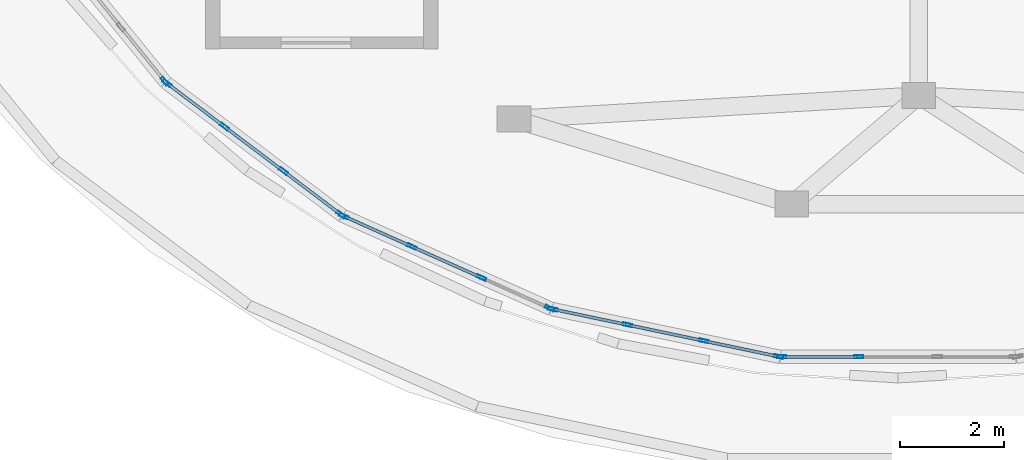
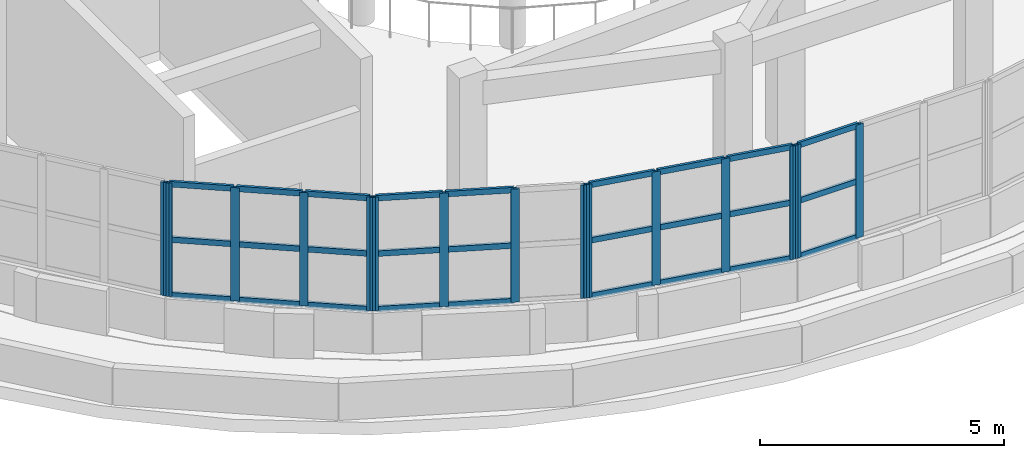
# One storey, part 5 of 98: 42 members, 5 elements without a shape of their own.
"""IFC4 building model written with IfcOpenShell, lengths in metres."""

from ifc_helpers import new_model, si_unit, direction, frame, origin, origin_2d, place, context, subcontext, project, spatial, hollow_rectangle, extrude, material, layer, layer_set, material_profile, profile_set, type_object, element, aggregate, save


model = new_model("IFC4")

# Units and contexts
model_context = context("Model", 3, precision=1e-05, world=origin(), true_north=direction((0.0, 1.0)))
body_context = subcontext(model_context, "Body", "Model", "MODEL_VIEW")
ifc_project = project(units=[si_unit("LENGTHUNIT", "METRE"), si_unit("AREAUNIT", "SQUARE_METRE"), si_unit("VOLUMEUNIT", "CUBIC_METRE"), si_unit("PLANEANGLEUNIT", "RADIAN"), si_unit("MASSUNIT", "GRAM", prefix="KILO")], contexts=[model_context])

# Site, building, storey
site_placement = place(None, origin())
site = spatial("IfcSite", under=ifc_project, at=site_placement, CompositionType="ELEMENT")
building_placement = place(site_placement, origin())
building = spatial("IfcBuilding", under=site, at=building_placement, Name="Pelvatis Terrace Science Centre", CompositionType="ELEMENT")
storey_placement = place(building_placement, frame((0.0, 0.0, 5.39990234375)))
storey = spatial("IfcBuildingStorey", under=building, at=storey_placement, Name="L01", CompositionType="ELEMENT", Elevation=5.39990234375)

# Curtain wall, member
ifc_material_1 = material(Name="Bronze-anodised aluminium and laminated glass", Category="aluminium")
ifc_layer = layer(ifc_material_1, 0.179931640625)
ifc_layer_set = layer_set([ifc_layer], Name="Bronze-anodised aluminium and laminated glass")
curtain_wall_type = type_object("IfcCurtainWallType", Name="CW-RIBBON-A", PredefinedType="NOTDEFINED", material=ifc_layer_set)
curtain_wall_1_placement = place(storey_placement, origin())
curtain_wall_1 = element("IfcCurtainWall", 1, at=curtain_wall_1_placement, inside=storey, type_object=curtain_wall_type, Name="Ribbon curtain wall CW-032 (L01)", PredefinedType="NOTDEFINED")
ifc_material_2 = material(Name="Bronze-anodised aluminium 6063-T6", Category="aluminium")
ifc_material_profile_1 = material_profile(ifc_material_2, hollow_rectangle(XDim=0.06005859375, YDim=0.179931640625, WallThickness=0.00390625, at=origin_2d()), Name="ALU-MUL 60x180")
ifc_profile_set_1 = profile_set([ifc_material_profile_1], Name="Bronze-anodised aluminium 6063-T6")
member_type_1 = type_object("IfcMemberType", Name="CWM-60x180", PredefinedType="MULLION", material=ifc_profile_set_1)
member_1_placement = place(storey_placement, frame((32.271728515625, 24.18017578125, 1.02001953125), z_axis=(0.0, 0.0, 1.0), x_axis=(0.776811223185, 0.629733533753, 0.0)))
member_1 = element("IfcMember", 2, at=member_1_placement, type_object=member_type_1, Name="CW-032 mullion 4", PredefinedType="MULLION", context=body_context, shape_type="SweptSolid", body=[
    extrude(hollow_rectangle(XDim=0.06005859375, YDim=0.179931640625, WallThickness=0.00390625, at=origin_2d()), origin(), (0.0, 0.0, 1.0), 2.840087890625),
])
aggregate(curtain_wall_1, [member_1])

# Curtain wall, members
curtain_wall_2_placement = place(storey_placement, origin())
curtain_wall_2 = element("IfcCurtainWall", 3, at=curtain_wall_2_placement, inside=storey, type_object=curtain_wall_type, Name="Ribbon curtain wall CW-033 (L01)", PredefinedType="NOTDEFINED")
member_2_placement = place(storey_placement, frame((32.314453125, 24.138916015625, 1.02001953125), z_axis=(0.0, 0.0, 1.0), x_axis=(0.602213340756, 0.798335200411, 0.0)))
member_2 = element("IfcMember", 4, at=member_2_placement, type_object=member_type_1, Name="CW-033 mullion 1", PredefinedType="MULLION", context=body_context, shape_type="SweptSolid", body=[
    extrude(hollow_rectangle(XDim=0.06005859375, YDim=0.179931640625, WallThickness=0.00390625, at=origin_2d()), origin(), (0.0, 0.0, 1.0), 2.840087890625),
])
member_3_placement = place(storey_placement, frame((33.42431640625, 23.301513671875, 1.02001953125), z_axis=(0.0, 0.0, 1.0), x_axis=(0.602213340756, 0.798335200411, 0.0)))
member_3 = element("IfcMember", 5, at=member_3_placement, type_object=member_type_1, Name="CW-033 mullion 2", PredefinedType="MULLION", context=body_context, shape_type="SweptSolid", body=[
    extrude(hollow_rectangle(XDim=0.06005859375, YDim=0.179931640625, WallThickness=0.00390625, at=origin_2d()), origin(), (0.0, 0.0, 1.0), 2.840087890625),
])
member_4_placement = place(storey_placement, frame((34.55810546875, 22.4462890625, 1.02001953125), z_axis=(0.0, 0.0, 1.0), x_axis=(0.602213340756, 0.798335200411, 0.0)))
member_4 = element("IfcMember", 6, at=member_4_placement, type_object=member_type_1, Name="CW-033 mullion 3", PredefinedType="MULLION", context=body_context, shape_type="SweptSolid", body=[
    extrude(hollow_rectangle(XDim=0.06005859375, YDim=0.179931640625, WallThickness=0.00390625, at=origin_2d()), origin(), (0.0, 0.0, 1.0), 2.840087890625),
])
member_5_placement = place(storey_placement, frame((35.66796875, 21.609130859375, 1.02001953125), z_axis=(0.0, 0.0, 1.0), x_axis=(0.602213340756, 0.798335200411, 0.0)))
member_5 = element("IfcMember", 7, at=member_5_placement, type_object=member_type_1, Name="CW-033 mullion 4", PredefinedType="MULLION", context=body_context, shape_type="SweptSolid", body=[
    extrude(hollow_rectangle(XDim=0.06005859375, YDim=0.179931640625, WallThickness=0.00390625, at=origin_2d()), origin(), (0.0, 0.0, 1.0), 2.840087890625),
])

curtain_wall_3_placement = place(storey_placement, origin())
curtain_wall_3 = element("IfcCurtainWall", 8, at=curtain_wall_3_placement, inside=storey, type_object=curtain_wall_type, Name="Ribbon curtain wall CW-034 (L01)", PredefinedType="NOTDEFINED")
member_6_placement = place(storey_placement, frame((35.719482421875, 21.578857421875, 1.02001953125), z_axis=(0.0, 0.0, 1.0), x_axis=(0.407992377394, 0.91298533394, 0.0)))
member_6 = element("IfcMember", 9, at=member_6_placement, type_object=member_type_1, Name="CW-034 mullion 1", PredefinedType="MULLION", context=body_context, shape_type="SweptSolid", body=[
    extrude(hollow_rectangle(XDim=0.06005859375, YDim=0.179931640625, WallThickness=0.00390625, at=origin_2d()), origin(), (0.0, 0.0, 1.0), 2.840087890625),
])
member_7_placement = place(storey_placement, frame((37.033203125, 20.99169921875, 1.02001953125), z_axis=(0.0, 0.0, 1.0), x_axis=(0.407992377394, 0.91298533394, 0.0)))
member_7 = element("IfcMember", 10, at=member_7_placement, type_object=member_type_1, Name="CW-034 mullion 2", PredefinedType="MULLION", context=body_context, shape_type="SweptSolid", body=[
    extrude(hollow_rectangle(XDim=0.06005859375, YDim=0.179931640625, WallThickness=0.00390625, at=origin_2d()), origin(), (0.0, 0.0, 1.0), 2.840087890625),
])
member_8_placement = place(storey_placement, frame((38.37451171875, 20.392333984375, 1.02001953125), z_axis=(0.0, 0.0, 1.0), x_axis=(0.407992377394, 0.91298533394, 0.0)))
member_8 = element("IfcMember", 11, at=member_8_placement, type_object=member_type_1, Name="CW-034 mullion 3", PredefinedType="MULLION", context=body_context, shape_type="SweptSolid", body=[
    extrude(hollow_rectangle(XDim=0.06005859375, YDim=0.179931640625, WallThickness=0.00390625, at=origin_2d()), origin(), (0.0, 0.0, 1.0), 2.840087890625),
])
member_9_placement = place(storey_placement, frame((39.688232421875, 19.80517578125, 1.02001953125), z_axis=(0.0, 0.0, 1.0), x_axis=(0.407992377394, 0.91298533394, 0.0)))
member_9 = element("IfcMember", 12, at=member_9_placement, type_object=member_type_1, Name="CW-034 mullion 4", PredefinedType="MULLION", context=body_context, shape_type="SweptSolid", body=[
    extrude(hollow_rectangle(XDim=0.06005859375, YDim=0.179931640625, WallThickness=0.00390625, at=origin_2d()), origin(), (0.0, 0.0, 1.0), 2.840087890625),
])

curtain_wall_4_placement = place(storey_placement, origin())
curtain_wall_4 = element("IfcCurtainWall", 13, at=curtain_wall_4_placement, inside=storey, type_object=curtain_wall_type, Name="Ribbon curtain wall CW-035 (L01)", PredefinedType="NOTDEFINED")
member_10_placement = place(storey_placement, frame((39.7451171875, 19.786865234375, 1.02001953125), z_axis=(0.0, 0.0, 1.0), x_axis=(0.205397839698, 0.978678561862, 0.0)))
member_10 = element("IfcMember", 14, at=member_10_placement, type_object=member_type_1, Name="CW-035 mullion 1", PredefinedType="MULLION", context=body_context, shape_type="SweptSolid", body=[
    extrude(hollow_rectangle(XDim=0.06005859375, YDim=0.179931640625, WallThickness=0.00390625, at=origin_2d()), origin(), (0.0, 0.0, 1.0), 2.840087890625),
])
member_11_placement = place(storey_placement, frame((41.1865234375, 19.484375, 1.02001953125), z_axis=(0.0, 0.0, 1.0), x_axis=(0.205397839698, 0.978678561862, 0.0)))
member_11 = element("IfcMember", 15, at=member_11_placement, type_object=member_type_1, Name="CW-035 mullion 2", PredefinedType="MULLION", context=body_context, shape_type="SweptSolid", body=[
    extrude(hollow_rectangle(XDim=0.06005859375, YDim=0.179931640625, WallThickness=0.00390625, at=origin_2d()), origin(), (0.0, 0.0, 1.0), 2.840087890625),
])
member_12_placement = place(storey_placement, frame((42.6572265625, 19.17578125, 1.02001953125), z_axis=(0.0, 0.0, 1.0), x_axis=(0.205397839698, 0.978678561862, 0.0)))
member_12 = element("IfcMember", 16, at=member_12_placement, type_object=member_type_1, Name="CW-035 mullion 3", PredefinedType="MULLION", context=body_context, shape_type="SweptSolid", body=[
    extrude(hollow_rectangle(XDim=0.06005859375, YDim=0.179931640625, WallThickness=0.00390625, at=origin_2d()), origin(), (0.0, 0.0, 1.0), 2.840087890625),
])
member_13_placement = place(storey_placement, frame((44.0986328125, 18.873046875, 1.02001953125), z_axis=(0.0, 0.0, 1.0), x_axis=(0.205397839698, 0.978678561862, 0.0)))
member_13 = element("IfcMember", 17, at=member_13_placement, type_object=member_type_1, Name="CW-035 mullion 4", PredefinedType="MULLION", context=body_context, shape_type="SweptSolid", body=[
    extrude(hollow_rectangle(XDim=0.06005859375, YDim=0.179931640625, WallThickness=0.00390625, at=origin_2d()), origin(), (0.0, 0.0, 1.0), 2.840087890625),
])

curtain_wall_5_placement = place(storey_placement, origin())
curtain_wall_5 = element("IfcCurtainWall", 18, at=curtain_wall_5_placement, inside=storey, type_object=curtain_wall_type, Name="Ribbon curtain wall CW-036 (L01)", PredefinedType="NOTDEFINED")
member_14_placement = place(storey_placement, frame((44.157958984375, 18.866943359375, 1.02001953125), z_axis=(0.0, 0.0, 1.0), x_axis=(0.0, 1.0, 0.0)))
member_14 = element("IfcMember", 19, at=member_14_placement, type_object=member_type_1, Name="CW-036 mullion 1", PredefinedType="MULLION", context=body_context, shape_type="SweptSolid", body=[
    extrude(hollow_rectangle(XDim=0.06005859375, YDim=0.179931640625, WallThickness=0.00390625, at=origin_2d()), origin(), (0.0, 0.0, 1.0), 2.840087890625),
])
member_15_placement = place(storey_placement, frame((45.642578125, 18.866943359375, 1.02001953125), z_axis=(0.0, 0.0, 1.0), x_axis=(0.0, 1.0, 0.0)))
member_15 = element("IfcMember", 20, at=member_15_placement, type_object=member_type_1, Name="CW-036 mullion 2", PredefinedType="MULLION", context=body_context, shape_type="SweptSolid", body=[
    extrude(hollow_rectangle(XDim=0.06005859375, YDim=0.179931640625, WallThickness=0.00390625, at=origin_2d()), origin(), (0.0, 0.0, 1.0), 2.840087890625),
])

# Member
ifc_material_3 = material(Name="Bronze-anodised aluminium 6063-T6", Category="aluminium")
ifc_material_profile_2 = material_profile(ifc_material_3, hollow_rectangle(XDim=0.06005859375, YDim=0.139892578125, WallThickness=0.00390625, at=origin_2d()), Name="ALU-TRN 60x140")
ifc_profile_set_2 = profile_set([ifc_material_profile_2], Name="Bronze-anodised aluminium 6063-T6")
member_type_2 = type_object("IfcMemberType", Name="CWT-60x140", PredefinedType="USERDEFINED", material=ifc_profile_set_2)
member_16_placement = place(storey_placement, frame((32.33837890625, 24.120849609375, 1.050048828125), z_axis=(0.798279045467, -0.602287776373, 0.0), x_axis=(0.602287776373, 0.798279045467, 0.0)))
member_16 = element("IfcMember", 21, at=member_16_placement, type_object=member_type_2, Name="CW-033 transom 1.1", ObjectType="TRANSOM", PredefinedType="USERDEFINED", context=body_context, shape_type="SweptSolid", body=[
    extrude(hollow_rectangle(XDim=0.06005859375, YDim=0.139892578125, WallThickness=0.00390625, at=origin_2d()), origin(), (0.0, 0.0, 1.0), 1.330322265625),
])

member_17_placement = place(storey_placement, frame((32.33837890625, 24.120849609375, 2.440185546875), z_axis=(0.798279045467, -0.602287776373, 0.0), x_axis=(0.602287776373, 0.798279045467, 0.0)))
member_17 = element("IfcMember", 22, at=member_17_placement, type_object=member_type_2, Name="CW-033 transom 1.2", ObjectType="TRANSOM", PredefinedType="USERDEFINED", context=body_context, shape_type="SweptSolid", body=[
    extrude(hollow_rectangle(XDim=0.06005859375, YDim=0.139892578125, WallThickness=0.00390625, at=origin_2d()), origin(), (0.0, 0.0, 1.0), 1.330322265625),
])

member_18_placement = place(storey_placement, frame((32.33837890625, 24.120849609375, 3.830078125), z_axis=(0.798279045467, -0.602287776373, 0.0), x_axis=(0.602287776373, 0.798279045467, 0.0)))
member_18 = element("IfcMember", 23, at=member_18_placement, type_object=member_type_2, Name="CW-033 transom 1.3", ObjectType="TRANSOM", PredefinedType="USERDEFINED", context=body_context, shape_type="SweptSolid", body=[
    extrude(hollow_rectangle(XDim=0.06005859375, YDim=0.139892578125, WallThickness=0.00390625, at=origin_2d()), origin(), (0.0, 0.0, 1.0), 1.330322265625),
])

member_19_placement = place(storey_placement, frame((33.4482421875, 23.283447265625, 1.050048828125), z_axis=(0.798360097365, -0.602180334231, 0.0), x_axis=(0.602180334231, 0.798360097365, 0.0)))
member_19 = element("IfcMember", 24, at=member_19_placement, type_object=member_type_2, Name="CW-033 transom 2.1", ObjectType="TRANSOM", PredefinedType="USERDEFINED", context=body_context, shape_type="SweptSolid", body=[
    extrude(hollow_rectangle(XDim=0.06005859375, YDim=0.139892578125, WallThickness=0.00390625, at=origin_2d()), origin(), (0.0, 0.0, 1.0), 1.360107421875),
])

member_20_placement = place(storey_placement, frame((33.4482421875, 23.283447265625, 2.440185546875), z_axis=(0.798360097365, -0.602180334231, 0.0), x_axis=(0.602180334231, 0.798360097365, 0.0)))
member_20 = element("IfcMember", 25, at=member_20_placement, type_object=member_type_2, Name="CW-033 transom 2.2", ObjectType="TRANSOM", PredefinedType="USERDEFINED", context=body_context, shape_type="SweptSolid", body=[
    extrude(hollow_rectangle(XDim=0.06005859375, YDim=0.139892578125, WallThickness=0.00390625, at=origin_2d()), origin(), (0.0, 0.0, 1.0), 1.360107421875),
])

member_21_placement = place(storey_placement, frame((33.4482421875, 23.283447265625, 3.830078125), z_axis=(0.798360097365, -0.602180334231, 0.0), x_axis=(0.602180334231, 0.798360097365, 0.0)))
member_21 = element("IfcMember", 26, at=member_21_placement, type_object=member_type_2, Name="CW-033 transom 2.3", ObjectType="TRANSOM", PredefinedType="USERDEFINED", context=body_context, shape_type="SweptSolid", body=[
    extrude(hollow_rectangle(XDim=0.06005859375, YDim=0.139892578125, WallThickness=0.00390625, at=origin_2d()), origin(), (0.0, 0.0, 1.0), 1.360107421875),
])

member_22_placement = place(storey_placement, frame((34.58203125, 22.42822265625, 1.050048828125), z_axis=(0.798367278271, -0.602170813795, 0.0), x_axis=(0.602170813795, 0.798367278271, 0.0)))
member_22 = element("IfcMember", 27, at=member_22_placement, type_object=member_type_2, Name="CW-033 transom 3.1", ObjectType="TRANSOM", PredefinedType="USERDEFINED", context=body_context, shape_type="SweptSolid", body=[
    extrude(hollow_rectangle(XDim=0.06005859375, YDim=0.139892578125, WallThickness=0.00390625, at=origin_2d()), origin(), (0.0, 0.0, 1.0), 1.330322265625),
])

member_23_placement = place(storey_placement, frame((34.58203125, 22.42822265625, 2.440185546875), z_axis=(0.798367278271, -0.602170813795, 0.0), x_axis=(0.602170813795, 0.798367278271, 0.0)))
member_23 = element("IfcMember", 28, at=member_23_placement, type_object=member_type_2, Name="CW-033 transom 3.2", ObjectType="TRANSOM", PredefinedType="USERDEFINED", context=body_context, shape_type="SweptSolid", body=[
    extrude(hollow_rectangle(XDim=0.06005859375, YDim=0.139892578125, WallThickness=0.00390625, at=origin_2d()), origin(), (0.0, 0.0, 1.0), 1.330322265625),
])

member_24_placement = place(storey_placement, frame((34.58203125, 22.42822265625, 3.830078125), z_axis=(0.798367278271, -0.602170813795, 0.0), x_axis=(0.602170813795, 0.798367278271, 0.0)))
member_24 = element("IfcMember", 29, at=member_24_placement, type_object=member_type_2, Name="CW-033 transom 3.3", ObjectType="TRANSOM", PredefinedType="USERDEFINED", context=body_context, shape_type="SweptSolid", body=[
    extrude(hollow_rectangle(XDim=0.06005859375, YDim=0.139892578125, WallThickness=0.00390625, at=origin_2d()), origin(), (0.0, 0.0, 1.0), 1.330322265625),
])

aggregate(curtain_wall_2, [member_2, member_3, member_4, member_5, member_16, member_17, member_18, member_19, member_20, member_21, member_22, member_23, member_24])

member_25_placement = place(storey_placement, frame((35.746826171875, 21.566650390625, 1.050048828125), z_axis=(0.912955392726, -0.408059371773, 0.0), x_axis=(0.408059371773, 0.912955392726, 0.0)))
member_25 = element("IfcMember", 30, at=member_25_placement, type_object=member_type_2, Name="CW-034 transom 1.1", ObjectType="TRANSOM", PredefinedType="USERDEFINED", context=body_context, shape_type="SweptSolid", body=[
    extrude(hollow_rectangle(XDim=0.06005859375, YDim=0.139892578125, WallThickness=0.00390625, at=origin_2d()), origin(), (0.0, 0.0, 1.0), 1.379150390625),
])

member_26_placement = place(storey_placement, frame((35.746826171875, 21.566650390625, 2.440185546875), z_axis=(0.912955392726, -0.408059371773, 0.0), x_axis=(0.408059371773, 0.912955392726, 0.0)))
member_26 = element("IfcMember", 31, at=member_26_placement, type_object=member_type_2, Name="CW-034 transom 1.2", ObjectType="TRANSOM", PredefinedType="USERDEFINED", context=body_context, shape_type="SweptSolid", body=[
    extrude(hollow_rectangle(XDim=0.06005859375, YDim=0.139892578125, WallThickness=0.00390625, at=origin_2d()), origin(), (0.0, 0.0, 1.0), 1.379150390625),
])

member_27_placement = place(storey_placement, frame((35.746826171875, 21.566650390625, 3.830078125), z_axis=(0.912955392726, -0.408059371773, 0.0), x_axis=(0.408059371773, 0.912955392726, 0.0)))
member_27 = element("IfcMember", 32, at=member_27_placement, type_object=member_type_2, Name="CW-034 transom 1.3", ObjectType="TRANSOM", PredefinedType="USERDEFINED", context=body_context, shape_type="SweptSolid", body=[
    extrude(hollow_rectangle(XDim=0.06005859375, YDim=0.139892578125, WallThickness=0.00390625, at=origin_2d()), origin(), (0.0, 0.0, 1.0), 1.379150390625),
])

member_28_placement = place(storey_placement, frame((37.060546875, 20.9794921875, 1.050048828125), z_axis=(0.912988116473, -0.40798615072, 0.0), x_axis=(0.40798615072, 0.912988116473, 0.0)))
member_28 = element("IfcMember", 33, at=member_28_placement, type_object=member_type_2, Name="CW-034 transom 2.1", ObjectType="TRANSOM", PredefinedType="USERDEFINED", context=body_context, shape_type="SweptSolid", body=[
    extrude(hollow_rectangle(XDim=0.06005859375, YDim=0.139892578125, WallThickness=0.00390625, at=origin_2d()), origin(), (0.0, 0.0, 1.0), 1.4091796875),
])

member_29_placement = place(storey_placement, frame((37.060546875, 20.9794921875, 2.440185546875), z_axis=(0.912988116473, -0.40798615072, 0.0), x_axis=(0.40798615072, 0.912988116473, 0.0)))
member_29 = element("IfcMember", 34, at=member_29_placement, type_object=member_type_2, Name="CW-034 transom 2.2", ObjectType="TRANSOM", PredefinedType="USERDEFINED", context=body_context, shape_type="SweptSolid", body=[
    extrude(hollow_rectangle(XDim=0.06005859375, YDim=0.139892578125, WallThickness=0.00390625, at=origin_2d()), origin(), (0.0, 0.0, 1.0), 1.4091796875),
])

member_30_placement = place(storey_placement, frame((37.060546875, 20.9794921875, 3.830078125), z_axis=(0.912988116473, -0.40798615072, 0.0), x_axis=(0.40798615072, 0.912988116473, 0.0)))
member_30 = element("IfcMember", 35, at=member_30_placement, type_object=member_type_2, Name="CW-034 transom 2.3", ObjectType="TRANSOM", PredefinedType="USERDEFINED", context=body_context, shape_type="SweptSolid", body=[
    extrude(hollow_rectangle(XDim=0.06005859375, YDim=0.139892578125, WallThickness=0.00390625, at=origin_2d()), origin(), (0.0, 0.0, 1.0), 1.4091796875),
])

aggregate(curtain_wall_3, [member_6, member_7, member_8, member_9, member_25, member_26, member_27, member_28, member_29, member_30])

member_31_placement = place(storey_placement, frame((39.7744140625, 19.78076171875, 1.050048828125), z_axis=(0.978661490355, -0.205479165113, 0.0), x_axis=(0.205479165113, 0.978661490355, 0.0)))
member_31 = element("IfcMember", 36, at=member_31_placement, type_object=member_type_2, Name="CW-035 transom 1.1", ObjectType="TRANSOM", PredefinedType="USERDEFINED", context=body_context, shape_type="SweptSolid", body=[
    extrude(hollow_rectangle(XDim=0.06005859375, YDim=0.139892578125, WallThickness=0.00390625, at=origin_2d()), origin(), (0.0, 0.0, 1.0), 1.41259765625),
])

member_32_placement = place(storey_placement, frame((39.7744140625, 19.78076171875, 2.440185546875), z_axis=(0.978661490355, -0.205479165113, 0.0), x_axis=(0.205479165113, 0.978661490355, 0.0)))
member_32 = element("IfcMember", 37, at=member_32_placement, type_object=member_type_2, Name="CW-035 transom 1.2", ObjectType="TRANSOM", PredefinedType="USERDEFINED", context=body_context, shape_type="SweptSolid", body=[
    extrude(hollow_rectangle(XDim=0.06005859375, YDim=0.139892578125, WallThickness=0.00390625, at=origin_2d()), origin(), (0.0, 0.0, 1.0), 1.41259765625),
])

member_33_placement = place(storey_placement, frame((39.7744140625, 19.78076171875, 3.830078125), z_axis=(0.978661490355, -0.205479165113, 0.0), x_axis=(0.205479165113, 0.978661490355, 0.0)))
member_33 = element("IfcMember", 38, at=member_33_placement, type_object=member_type_2, Name="CW-035 transom 1.3", ObjectType="TRANSOM", PredefinedType="USERDEFINED", context=body_context, shape_type="SweptSolid", body=[
    extrude(hollow_rectangle(XDim=0.06005859375, YDim=0.139892578125, WallThickness=0.00390625, at=origin_2d()), origin(), (0.0, 0.0, 1.0), 1.41259765625),
])

member_34_placement = place(storey_placement, frame((41.2158203125, 19.478271484375, 1.050048828125), z_axis=(0.978668130306, -0.205447537643, 0.0), x_axis=(0.205447537643, 0.978668130306, 0.0)))
member_34 = element("IfcMember", 39, at=member_34_placement, type_object=member_type_2, Name="CW-035 transom 2.1", ObjectType="TRANSOM", PredefinedType="USERDEFINED", context=body_context, shape_type="SweptSolid", body=[
    extrude(hollow_rectangle(XDim=0.06005859375, YDim=0.139892578125, WallThickness=0.00390625, at=origin_2d()), origin(), (0.0, 0.0, 1.0), 1.442626953125),
])

member_35_placement = place(storey_placement, frame((41.2158203125, 19.478271484375, 2.440185546875), z_axis=(0.978668130306, -0.205447537643, 0.0), x_axis=(0.205447537643, 0.978668130306, 0.0)))
member_35 = element("IfcMember", 40, at=member_35_placement, type_object=member_type_2, Name="CW-035 transom 2.2", ObjectType="TRANSOM", PredefinedType="USERDEFINED", context=body_context, shape_type="SweptSolid", body=[
    extrude(hollow_rectangle(XDim=0.06005859375, YDim=0.139892578125, WallThickness=0.00390625, at=origin_2d()), origin(), (0.0, 0.0, 1.0), 1.442626953125),
])

member_36_placement = place(storey_placement, frame((41.2158203125, 19.478271484375, 3.830078125), z_axis=(0.978668130306, -0.205447537643, 0.0), x_axis=(0.205447537643, 0.978668130306, 0.0)))
member_36 = element("IfcMember", 41, at=member_36_placement, type_object=member_type_2, Name="CW-035 transom 2.3", ObjectType="TRANSOM", PredefinedType="USERDEFINED", context=body_context, shape_type="SweptSolid", body=[
    extrude(hollow_rectangle(XDim=0.06005859375, YDim=0.139892578125, WallThickness=0.00390625, at=origin_2d()), origin(), (0.0, 0.0, 1.0), 1.442626953125),
])

member_37_placement = place(storey_placement, frame((42.6865234375, 19.16943359375, 1.050048828125), z_axis=(0.978696230105, -0.205313636123, 0.0), x_axis=(0.205313636123, 0.978696230105, 0.0)))
member_37 = element("IfcMember", 42, at=member_37_placement, type_object=member_type_2, Name="CW-035 transom 3.1", ObjectType="TRANSOM", PredefinedType="USERDEFINED", context=body_context, shape_type="SweptSolid", body=[
    extrude(hollow_rectangle(XDim=0.06005859375, YDim=0.139892578125, WallThickness=0.00390625, at=origin_2d()), origin(), (0.0, 0.0, 1.0), 1.41259765625),
])

member_38_placement = place(storey_placement, frame((42.6865234375, 19.16943359375, 2.440185546875), z_axis=(0.978696230105, -0.205313636123, 0.0), x_axis=(0.205313636123, 0.978696230105, 0.0)))
member_38 = element("IfcMember", 43, at=member_38_placement, type_object=member_type_2, Name="CW-035 transom 3.2", ObjectType="TRANSOM", PredefinedType="USERDEFINED", context=body_context, shape_type="SweptSolid", body=[
    extrude(hollow_rectangle(XDim=0.06005859375, YDim=0.139892578125, WallThickness=0.00390625, at=origin_2d()), origin(), (0.0, 0.0, 1.0), 1.41259765625),
])

member_39_placement = place(storey_placement, frame((42.6865234375, 19.16943359375, 3.830078125), z_axis=(0.978696230105, -0.205313636123, 0.0), x_axis=(0.205313636123, 0.978696230105, 0.0)))
member_39 = element("IfcMember", 44, at=member_39_placement, type_object=member_type_2, Name="CW-035 transom 3.3", ObjectType="TRANSOM", PredefinedType="USERDEFINED", context=body_context, shape_type="SweptSolid", body=[
    extrude(hollow_rectangle(XDim=0.06005859375, YDim=0.139892578125, WallThickness=0.00390625, at=origin_2d()), origin(), (0.0, 0.0, 1.0), 1.41259765625),
])

aggregate(curtain_wall_4, [member_10, member_11, member_12, member_13, member_31, member_32, member_33, member_34, member_35, member_36, member_37, member_38, member_39])

member_40_placement = place(storey_placement, frame((44.18798828125, 18.866943359375, 1.050048828125), z_axis=(1.0, 0.0, 0.0), x_axis=(0.0, 1.0, 0.0)))
member_40 = element("IfcMember", 45, at=member_40_placement, type_object=member_type_2, Name="CW-036 transom 1.1", ObjectType="TRANSOM", PredefinedType="USERDEFINED", context=body_context, shape_type="SweptSolid", body=[
    extrude(hollow_rectangle(XDim=0.06005859375, YDim=0.139892578125, WallThickness=0.00390625, at=origin_2d()), origin(), (0.0, 0.0, 1.0), 1.424560546875),
])

member_41_placement = place(storey_placement, frame((44.18798828125, 18.866943359375, 2.440185546875), z_axis=(1.0, 0.0, 0.0), x_axis=(0.0, 1.0, 0.0)))
member_41 = element("IfcMember", 46, at=member_41_placement, type_object=member_type_2, Name="CW-036 transom 1.2", ObjectType="TRANSOM", PredefinedType="USERDEFINED", context=body_context, shape_type="SweptSolid", body=[
    extrude(hollow_rectangle(XDim=0.06005859375, YDim=0.139892578125, WallThickness=0.00390625, at=origin_2d()), origin(), (0.0, 0.0, 1.0), 1.424560546875),
])

member_42_placement = place(storey_placement, frame((44.18798828125, 18.866943359375, 3.830078125), z_axis=(1.0, 0.0, 0.0), x_axis=(0.0, 1.0, 0.0)))
member_42 = element("IfcMember", 47, at=member_42_placement, type_object=member_type_2, Name="CW-036 transom 1.3", ObjectType="TRANSOM", PredefinedType="USERDEFINED", context=body_context, shape_type="SweptSolid", body=[
    extrude(hollow_rectangle(XDim=0.06005859375, YDim=0.139892578125, WallThickness=0.00390625, at=origin_2d()), origin(), (0.0, 0.0, 1.0), 1.424560546875),
])

aggregate(curtain_wall_5, [member_14, member_15, member_40, member_41, member_42])

save(model, "model.ifc")
